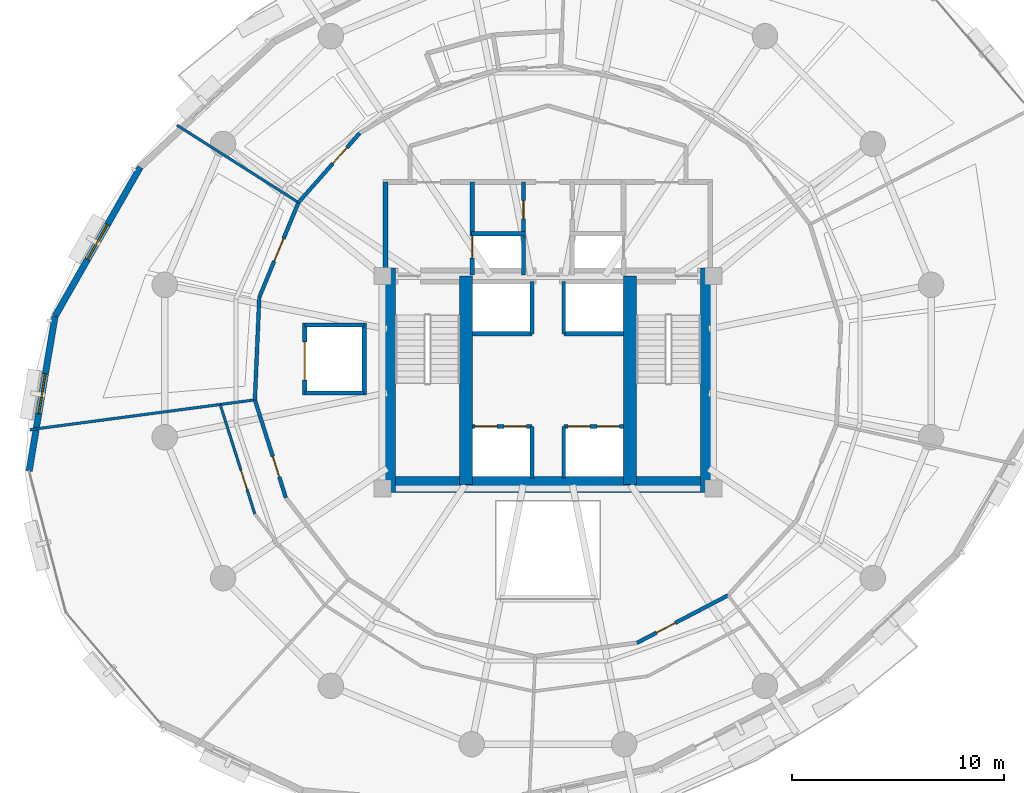
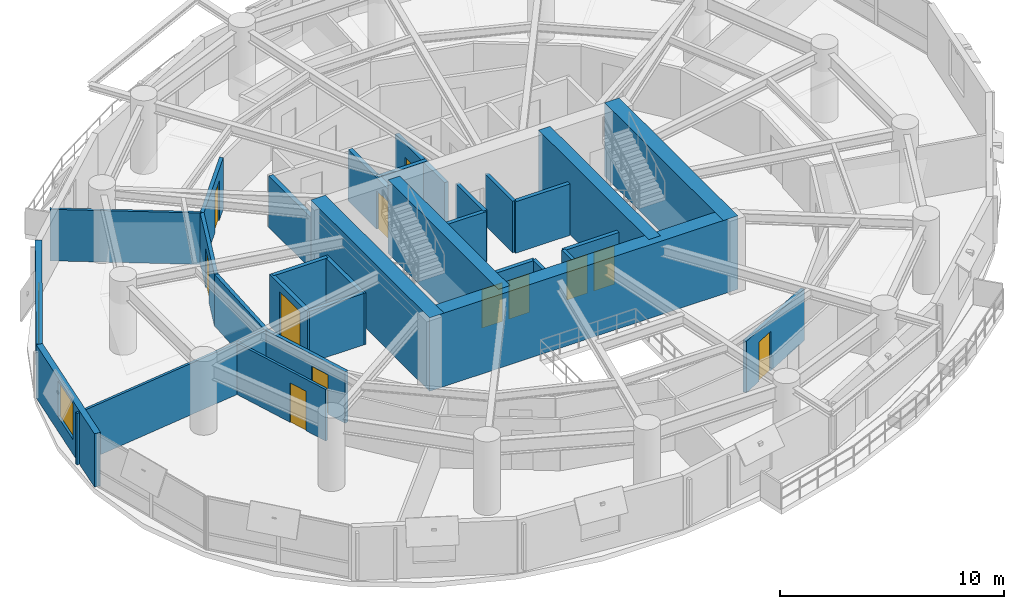
# One storey, part 10 of 14: 31 walls, 12 doors, 2 windows, 14 openings.
"""IFC4 building model written with IfcOpenShell, lengths in metres."""

from ifc_helpers import new_model, si_unit, direction, frame, frame_2d, origin, place, context, subcontext, project, spatial, rectangle, extrude, material, layer, layer_set, type_object, element, fill, save


model = new_model("IFC4")

# Units and contexts
model_context = context("Model", 3, precision=1e-05, world=origin(), true_north=direction((0.0, 1.0)))
body_context = subcontext(model_context, "Body", "Model", "MODEL_VIEW")
ifc_project = project(units=[si_unit("LENGTHUNIT", "METRE"), si_unit("AREAUNIT", "SQUARE_METRE"), si_unit("VOLUMEUNIT", "CUBIC_METRE"), si_unit("PLANEANGLEUNIT", "RADIAN"), si_unit("MASSUNIT", "GRAM", prefix="KILO"), si_unit("THERMODYNAMICTEMPERATUREUNIT", "KELVIN"), si_unit("POWERUNIT", "WATT")], contexts=[model_context])

# Site, building, storey
site_placement = place(None, origin())
site = spatial("IfcSite", under=ifc_project, at=site_placement, CompositionType="ELEMENT")
building_placement = place(site_placement, origin())
building = spatial("IfcBuilding", under=site, at=building_placement, Name="Ocrelia Relay Tower", CompositionType="ELEMENT")
storey_placement = place(building_placement, frame((0.0, 0.0, 149.800048828125)))
storey = spatial("IfcBuildingStorey", under=building, at=storey_placement, Name="L35", CompositionType="ELEMENT", Elevation=149.800048828125)

# Walls
ifc_material_1 = material(Name="Concrete C60/75", Category="concrete")
ifc_layer_1 = layer(ifc_material_1, 0.75, Name="Concrete C60/75")
ifc_layer_set_1 = layer_set([ifc_layer_1], Name="Concrete C60/75")
wall_type_1 = type_object("IfcWallType", Name="CW-CORE-750", PredefinedType="SHEAR", material=ifc_layer_set_1)
wall_1_placement = place(storey_placement, frame((26.072021484375, 20.18701171875, 0.0), z_axis=(0.0, 0.0, 1.0), x_axis=(1.0, 0.0, 0.0)))
element("IfcWall", 1, at=wall_1_placement, inside=storey, type_object=wall_type_1, Name="L35 Core Shear Wall S", PredefinedType="SHEAR", context=body_context, shape_type="SweptSolid", body=[
    extrude(rectangle(XDim=15.865966796875, YDim=0.75, at=frame_2d((7.93310546875, 0.0))), origin(), (0.0, 0.0, 1.0), 4.0),
])
for number, where, z_axis, x_axis, name in (
    (2, (26.447021484375, 19.81201171875, 0.0), (0.0, 0.0, 1.0), (0.0, 1.0, 0.0), "L35 Core Shear Wall W"),
    (3, (41.56298828125, 19.81201171875, 0.0), (0.0, 0.0, 1.0), (0.0, 1.0, 0.0), "L35 Core Shear Wall E"),
):
    element("IfcWall", number, at=place(storey_placement, frame(where, z_axis=z_axis, x_axis=x_axis)), inside=storey, type_object=wall_type_1, Name=name, PredefinedType="SHEAR", context=body_context, shape_type="SweptSolid", body=[
        extrude(rectangle(XDim=10.575927734375, YDim=0.75, at=frame_2d((5.2880859375, 0.0))), origin(), (0.0, 0.0, 1.0), 4.0),
    ])
for number, where, z_axis, x_axis, name in (
    (4, (30.137939453125, 20.18701171875, 0.0), (0.0, 0.0, 1.0), (0.0, 1.0, 0.0), "L35 Core Shear Wall SPW"),
    (5, (37.8720703125, 20.18701171875, 0.0), (0.0, 0.0, 1.0), (0.0, 1.0, 0.0), "L35 Core Shear Wall SPE"),
):
    element("IfcWall", number, at=place(storey_placement, frame(where, z_axis=z_axis, x_axis=x_axis)), inside=storey, type_object=wall_type_1, Name=name, PredefinedType="SHEAR", context=body_context, shape_type="SweptSolid", body=[
        extrude(rectangle(XDim=9.825927734375, YDim=0.60009765625, at=frame_2d((4.9130859375, 0.0))), origin(), (0.0, 0.0, 1.0), 4.0),
    ])

# Wall, opening, door
ifc_material_2 = material(Name="Gypsum Fireboard Partition EI60", Category="gypsum")
ifc_layer_2 = layer(ifc_material_2, 0.179931640625, Name="Gypsum Fireboard Partition EI60")
ifc_layer_set_2 = layer_set([ifc_layer_2], Name="Gypsum Fireboard Partition EI60")
wall_type_2 = type_object("IfcWallType", Name="W-CORR-EI60-180", PredefinedType="PARTITIONING", material=ifc_layer_set_2)
wall_2_placement = place(storey_placement, frame((25.136474609375, 36.7333984375, 0.0), z_axis=(0.0, 0.0, 1.0), x_axis=(-0.661970118679, -0.749530227526, 0.0)))
wall_2 = element("IfcWall", 6, at=wall_2_placement, inside=storey, type_object=wall_type_2, Name="L35 Network Engineering Office Corridor Partition 2", PredefinedType="PARTITIONING", context=body_context, shape_type="SweptSolid", body=[
    extrude(rectangle(XDim=4.355224609375, YDim=0.179931640625, at=frame_2d((2.177734375, 0.0))), origin(), (0.0, 0.0, 1.0), 2.800048828125),
])
opening_1_placement = place(wall_2_placement, frame((0.913818359375, 0.0, 0.0)))
opening_1 = element("IfcOpeningElement", 7, at=opening_1_placement, cuts=wall_2, Name="Opening D-RM100", PredefinedType="OPENING", context=body_context, shape_type="SweptSolid", body=[
    extrude(rectangle(XDim=1.0, YDim=2.14990234375, at=frame_2d((0.5, 1.074951171875))), frame((0.0, 0.10009765625, 0.0), z_axis=(0.0, -1.0, 0.0), x_axis=(1.0, 0.0, 0.0)), (0.0, 0.0, 1.0), 0.199951171875),
])
ifc_material_3 = material(Name="Acoustic oak veneer fire door", Category="wood")
door_type_1 = type_object("IfcDoorType", Name="DR-ROOM-FD60-1000", OperationType="NOTDEFINED", PredefinedType="DOOR", material=ifc_material_3)
door_1_placement = place(opening_1_placement, origin())
door_1 = element("IfcDoor", 8, at=door_1_placement, inside=storey, type_object=door_type_1, Name="L35 Network Engineering Office Entrance Door", OperationType="SINGLE_SWING_LEFT", OverallHeight=2.14990234375, OverallWidth=1.0, PredefinedType="DOOR", context=body_context, shape_type="SweptSolid", body=[
    extrude(rectangle(XDim=1.0, YDim=2.14990234375, at=frame_2d((0.5, 1.074951171875))), frame((0.0, 0.02490234375, 0.0), z_axis=(0.0, -1.0, 0.0), x_axis=(1.0, 0.0, 0.0)), (0.0, 0.0, 1.0), 0.050048828125),
])
fill(opening_1, door_1)

wall_3_placement = place(storey_placement, frame((22.25341796875, 33.468994140625, 0.0), z_axis=(0.0, 0.0, 1.0), x_axis=(-0.381884883338, -0.924209898171, 0.0)))
wall_3 = element("IfcWall", 9, at=wall_3_placement, inside=storey, type_object=wall_type_2, Name="L35 Optical Switching Hall A Corridor Partition 1", PredefinedType="PARTITIONING", context=body_context, shape_type="SweptSolid", body=[
    extrude(rectangle(XDim=4.83447265625, YDim=0.179931640625, at=frame_2d((2.417236328125, 0.0))), origin(), (0.0, 0.0, 1.0), 2.800048828125),
])
opening_2_placement = place(wall_3_placement, frame((1.84228515625, 0.0, 0.0)))
opening_2 = element("IfcOpeningElement", 10, at=opening_2_placement, cuts=wall_3, Name="Opening D-RM115", PredefinedType="OPENING", context=body_context, shape_type="SweptSolid", body=[
    extrude(rectangle(XDim=1.14990234375, YDim=2.14990234375, at=frame_2d((0.574951171875, 1.074951171875))), frame((0.0, 0.10009765625, 0.0), z_axis=(0.0, -1.0, 0.0), x_axis=(1.0, 0.0, 0.0)), (0.0, 0.0, 1.0), 0.199951171875),
])
ifc_material_4 = material(Name="Wide acoustic oak veneer fire door", Category="wood")
door_type_2 = type_object("IfcDoorType", Name="DR-ROOM-1150", OperationType="NOTDEFINED", PredefinedType="DOOR", material=ifc_material_4)
door_2_placement = place(opening_2_placement, origin())
door_2 = element("IfcDoor", 11, at=door_2_placement, inside=storey, type_object=door_type_2, Name="L35 Optical Switching Hall A Entrance Door", OperationType="SINGLE_SWING_RIGHT", OverallHeight=2.14990234375, OverallWidth=1.14990234375, PredefinedType="DOOR", context=body_context, shape_type="SweptSolid", body=[
    extrude(rectangle(XDim=1.14990234375, YDim=2.14990234375, at=frame_2d((0.574951171875, 1.074951171875))), frame((0.0, 0.02490234375, 0.0), z_axis=(0.0, -1.0, 0.0), x_axis=(1.0, 0.0, 0.0)), (0.0, 0.0, 1.0), 0.050048828125),
])
fill(opening_2, door_2)

# Wall
wall_4_placement = place(storey_placement, frame((20.4072265625, 29.0009765625, 0.0), z_axis=(0.0, 0.0, 1.0), x_axis=(-0.042722784695, -0.999086965018, 0.0)))
element("IfcWall", 12, at=wall_4_placement, inside=storey, type_object=wall_type_2, Name="L35 Optical Switching Hall A Corridor Partition 2", PredefinedType="PARTITIONING", context=body_context, shape_type="SweptSolid", body=[
    extrude(rectangle(XDim=4.83447265625, YDim=0.179931640625, at=frame_2d((2.417236328125, 0.0))), origin(), (0.0, 0.0, 1.0), 2.800048828125),
])

# Wall, opening, door
wall_5_placement = place(storey_placement, frame((20.20068359375, 24.1708984375, 0.0), z_axis=(0.0, 0.0, 1.0), x_axis=(0.301554318109, -0.953448998757, 0.0)))
wall_5 = element("IfcWall", 13, at=wall_5_placement, inside=storey, type_object=wall_type_2, Name="L35 Optical Calibration Studio Corridor Partition 1", PredefinedType="PARTITIONING", context=body_context, shape_type="SweptSolid", body=[
    extrude(rectangle(XDim=4.834228515625, YDim=0.179931640625, at=frame_2d((2.4169921875, 0.0))), origin(), (0.0, 0.0, 1.0), 2.800048828125),
])
opening_3_placement = place(wall_5_placement, frame((2.80078125, 0.0, 0.0)))
opening_3 = element("IfcOpeningElement", 14, at=opening_3_placement, cuts=wall_5, Name="Opening D-RM100", PredefinedType="OPENING", context=body_context, shape_type="SweptSolid", body=[
    extrude(rectangle(XDim=1.0, YDim=2.14990234375, at=frame_2d((0.5, 1.074951171875))), frame((0.0, 0.10009765625, 0.0), z_axis=(0.0, -1.0, 0.0), x_axis=(1.0, 0.0, 0.0)), (0.0, 0.0, 1.0), 0.199951171875),
])
door_3_placement = place(opening_3_placement, origin())
door_3 = element("IfcDoor", 15, at=door_3_placement, inside=storey, type_object=door_type_1, Name="L35 Optical Calibration Studio Entrance Door", OperationType="SINGLE_SWING_LEFT", OverallHeight=2.14990234375, OverallWidth=1.0, PredefinedType="DOOR", context=body_context, shape_type="SweptSolid", body=[
    extrude(rectangle(XDim=1.0, YDim=2.14990234375, at=frame_2d((0.5, 1.074951171875))), frame((0.0, 0.02490234375, 0.0), z_axis=(0.0, -1.0, 0.0), x_axis=(1.0, 0.0, 0.0)), (0.0, 0.0, 1.0), 0.050048828125),
])
fill(opening_3, door_3)

wall_6_placement = place(storey_placement, frame((38.197509765625, 12.727783203125, 0.0), z_axis=(0.0, 0.0, 1.0), x_axis=(0.886598352784, 0.462540118088, 0.0)))
wall_6 = element("IfcWall", 16, at=wall_6_placement, inside=storey, type_object=wall_type_2, Name="L35 Photonics Metrology Lab Corridor Partition 2", PredefinedType="PARTITIONING", context=body_context, shape_type="SweptSolid", body=[
    extrude(rectangle(XDim=4.83447265625, YDim=0.179931640625, at=frame_2d((2.417236328125, 0.0))), origin(), (0.0, 0.0, 1.0), 2.800048828125),
])
opening_4_placement = place(wall_6_placement, frame((1.03369140625, 0.0, 0.0)))
opening_4 = element("IfcOpeningElement", 17, at=opening_4_placement, cuts=wall_6, Name="Opening D-RM100", PredefinedType="OPENING", context=body_context, shape_type="SweptSolid", body=[
    extrude(rectangle(XDim=1.0, YDim=2.14990234375, at=frame_2d((0.5, 1.074951171875))), frame((0.0, 0.10009765625, 0.0), z_axis=(0.0, -1.0, 0.0), x_axis=(1.0, 0.0, 0.0)), (0.0, 0.0, 1.0), 0.199951171875),
])
door_4_placement = place(opening_4_placement, origin())
door_4 = element("IfcDoor", 18, at=door_4_placement, inside=storey, type_object=door_type_1, Name="L35 Photonics Metrology Lab Entrance Door", OperationType="SINGLE_SWING_LEFT", OverallHeight=2.14990234375, OverallWidth=1.0, PredefinedType="DOOR", context=body_context, shape_type="SweptSolid", body=[
    extrude(rectangle(XDim=1.0, YDim=2.14990234375, at=frame_2d((0.5, 1.074951171875))), frame((0.0, 0.02490234375, 0.0), z_axis=(0.0, -1.0, 0.0), x_axis=(1.0, 0.0, 0.0)), (0.0, 0.0, 1.0), 0.050048828125),
])
fill(opening_4, door_4)

# Wall, opening, window
ifc_material_5 = material(Name="Precast concrete C40/50 with oxide terracotta", Category="masonry")
ifc_layer_3 = layer(ifc_material_5, 0.300048828125, Name="Precast concrete C40/50 with oxide terracotta")
ifc_layer_set_3 = layer_set([ifc_layer_3], Name="Precast concrete C40/50 with oxide terracotta")
wall_type_3 = type_object("IfcWallType", Name="W-EXT-TERR-300", PredefinedType="SOLIDWALL", material=ifc_layer_set_3)
wall_7_placement = place(storey_placement, frame((14.800537109375, 35.129150390625, 0.0), z_axis=(0.0, 0.0, 1.0), x_axis=(-0.495931060513, -0.868361896457, 0.0)))
wall_7 = element("IfcWall", 19, at=wall_7_placement, inside=storey, type_object=wall_type_3, Name="L35 Oxide Terracotta Facade Wall 07", PredefinedType="SOLIDWALL", context=body_context, shape_type="SweptSolid", body=[
    extrude(rectangle(XDim=8.09521484375, YDim=0.300048828125, at=frame_2d((4.047607421875, 0.0))), origin(), (0.0, 0.0, 1.0), 2.89990234375),
])
opening_5_placement = place(wall_7_placement, frame((3.097900390625, 0.0, 0.800048828125)))
opening_5 = element("IfcOpeningElement", 20, at=opening_5_placement, cuts=wall_7, Name="Opening W-06", PredefinedType="OPENING", context=body_context, shape_type="SweptSolid", body=[
    extrude(rectangle(XDim=1.89990234375, YDim=1.949951171875, at=frame_2d((0.949951171875, 0.97509765625))), frame((0.0, 0.16015625, 0.0), z_axis=(0.0, -1.0, 0.0), x_axis=(1.0, 0.0, 0.0)), (0.0, 0.0, 1.0), 0.320068359375),
])
ifc_material_6 = material(Name="Clear double-glazed low-E glass", Category="glass")
window_type = type_object("IfcWindowType", Name="WIN-Z2-1900x2100", PartitioningType="DOUBLE_PANEL_VERTICAL", PredefinedType="WINDOW", material=ifc_material_6)
window_1_placement = place(opening_5_placement, origin())
window_1 = element("IfcWindow", 21, at=window_1_placement, inside=storey, type_object=window_type, Name="L35 Facade Module Window 07", OverallHeight=1.949951171875, OverallWidth=1.89990234375, PartitioningType="SINGLE_PANEL", PredefinedType="WINDOW", context=body_context, shape_type="SweptSolid", body=[
    extrude(rectangle(XDim=1.89990234375, YDim=1.949951171875, at=frame_2d((0.949951171875, 0.97509765625))), frame((0.0, 0.030029296875, 0.0), z_axis=(0.0, -1.0, 0.0), x_axis=(1.0, 0.0, 0.0)), (0.0, 0.0, 1.0), 0.06005859375),
])
fill(opening_5, window_1)

wall_8_placement = place(storey_placement, frame((10.785888671875, 28.099609375, 0.0), z_axis=(0.0, 0.0, 1.0), x_axis=(-0.16453840075, -0.986370678132, 0.0)))
wall_8 = element("IfcWall", 22, at=wall_8_placement, inside=storey, type_object=wall_type_3, Name="L35 Oxide Terracotta Facade Wall 08", PredefinedType="SOLIDWALL", context=body_context, shape_type="SweptSolid", body=[
    extrude(rectangle(XDim=7.38330078125, YDim=0.300048828125, at=frame_2d((3.691650390625, 0.0))), origin(), (0.0, 0.0, 1.0), 2.89990234375),
])
opening_6_placement = place(wall_8_placement, frame((2.741943359375, 0.0, 0.800048828125)))
opening_6 = element("IfcOpeningElement", 23, at=opening_6_placement, cuts=wall_8, Name="Opening W-06", PredefinedType="OPENING", context=body_context, shape_type="SweptSolid", body=[
    extrude(rectangle(XDim=1.89990234375, YDim=1.949951171875, at=frame_2d((0.949951171875, 0.97509765625))), frame((0.0, 0.16015625, 0.0), z_axis=(0.0, -1.0, 0.0), x_axis=(1.0, 0.0, 0.0)), (0.0, 0.0, 1.0), 0.320068359375),
])
window_2_placement = place(opening_6_placement, origin())
window_2 = element("IfcWindow", 24, at=window_2_placement, inside=storey, type_object=window_type, Name="L35 Facade Module Window 08", OverallHeight=1.949951171875, OverallWidth=1.89990234375, PartitioningType="SINGLE_PANEL", PredefinedType="WINDOW", context=body_context, shape_type="SweptSolid", body=[
    extrude(rectangle(XDim=1.89990234375, YDim=1.949951171875, at=frame_2d((0.949951171875, 0.97509765625))), frame((0.0, 0.030029296875, 0.0), z_axis=(0.0, -1.0, 0.0), x_axis=(1.0, 0.0, 0.0)), (0.0, 0.0, 1.0), 0.06005859375),
])
fill(opening_6, window_2)

# Wall
ifc_material_7 = material(Name="Concrete C50/60", Category="concrete")
ifc_layer_4 = layer(ifc_material_7, 0.219970703125, Name="Concrete C50/60")
ifc_layer_set_4 = layer_set([ifc_layer_4], Name="Concrete C50/60")
wall_type_4 = type_object("IfcWallType", Name="W-FFL-EI120-220", PredefinedType="SOLIDWALL", material=ifc_layer_set_4)
wall_9_placement = place(storey_placement, frame((26.35009765625, 30.050048828125, 0.0), z_axis=(0.0, 0.0, 1.0), x_axis=(0.0, 1.0, 0.0)))
element("IfcWall", 25, at=wall_9_placement, inside=storey, type_object=wall_type_4, Name="L35 W Fire Service Lift Lobby West Wall", PredefinedType="SOLIDWALL", context=body_context, shape_type="SweptSolid", body=[
    extrude(rectangle(XDim=4.3798828125, YDim=0.219970703125, at=frame_2d((2.18994140625, 0.0))), origin(), (0.0, 0.0, 1.0), 2.800048828125),
])

# Wall, opening, door
wall_10_placement = place(storey_placement, frame((30.43994140625, 30.050048828125, 0.0), z_axis=(0.0, 0.0, 1.0), x_axis=(0.0, 1.0, 0.0)))
wall_10 = element("IfcWall", 26, at=wall_10_placement, inside=storey, type_object=wall_type_4, Name="L35 W Fire Service Lift Lobby East Wall", PredefinedType="SOLIDWALL", context=body_context, shape_type="SweptSolid", body=[
    extrude(rectangle(XDim=4.3798828125, YDim=0.219970703125, at=frame_2d((2.18994140625, 0.0))), origin(), (0.0, 0.0, 1.0), 2.800048828125),
])
opening_7_placement = place(wall_10_placement, frame((0.800048828125, 0.0, 0.0)))
opening_7 = element("IfcOpeningElement", 27, at=opening_7_placement, cuts=wall_10, Name="Opening LD-FFL1", PredefinedType="OPENING", context=body_context, shape_type="SweptSolid", body=[
    extrude(rectangle(XDim=1.050048828125, YDim=2.10009765625, at=frame_2d((0.52490234375, 1.050048828125))), frame((0.0, 0.1201171875, 0.0), z_axis=(0.0, -1.0, 0.0), x_axis=(1.0, 0.0, 0.0)), (0.0, 0.0, 1.0), 0.239990234375),
])
ifc_material_8 = material(Name="Brushed stainless steel S355 lift landing door", Category="steel")
door_type_3 = type_object("IfcDoorType", Name="DR-LIFT-LAND-1050", OperationType="DOUBLE_DOOR_SLIDING", PredefinedType="USERDEFINED", material=ifc_material_8)
door_5_placement = place(opening_7_placement, origin())
door_5 = element("IfcDoor", 28, at=door_5_placement, inside=storey, type_object=door_type_3, Name="L35 Firefighting Lift FFL1 Sliding Landing Door", ObjectType="LANDING DOOR", OperationType="DOUBLE_DOOR_SLIDING", OverallHeight=2.10009765625, OverallWidth=1.050048828125, PredefinedType="USERDEFINED", context=body_context, shape_type="SweptSolid", body=[
    extrude(rectangle(XDim=1.050048828125, YDim=2.10009765625, at=frame_2d((0.52490234375, 1.050048828125))), frame((0.0, 0.02490234375, 0.0), z_axis=(0.0, -1.0, 0.0), x_axis=(1.0, 0.0, 0.0)), (0.0, 0.0, 1.0), 0.050048828125),
])
fill(opening_7, door_5)

# Walls
ifc_material_9 = material(Name="Acoustic Fireboard Partition EI60", Category="gypsum")
ifc_layer_5 = layer(ifc_material_9, 0.125, Name="Acoustic Fireboard Partition EI60")
ifc_layer_set_5 = layer_set([ifc_layer_5], Name="Acoustic Fireboard Partition EI60")
wall_type_5 = type_object("IfcWallType", Name="W-PART-125", PredefinedType="PARTITIONING", material=ifc_layer_set_5)
wall_11_placement = place(storey_placement, frame((22.25341796875, 33.468994140625, 0.0), z_axis=(0.0, 0.0, 1.0), x_axis=(-0.843860112371, 0.536563240215, 0.0)))
element("IfcWall", 29, at=wall_11_placement, inside=storey, type_object=wall_type_5, Name="L35 Network Engineering Office Radial Partition", PredefinedType="PARTITIONING", context=body_context, shape_type="SweptSolid", body=[
    extrude(rectangle(XDim=6.780029296875, YDim=0.125, at=frame_2d((3.39013671875, 0.0))), origin(), (0.0, 0.0, 1.0), 2.800048828125),
])
wall_12_placement = place(storey_placement, frame((20.20068359375, 24.1708984375, 0.0), z_axis=(0.0, 0.0, 1.0), x_axis=(-0.991330577482, -0.131391347314, 0.0)))
element("IfcWall", 30, at=wall_12_placement, inside=storey, type_object=wall_type_5, Name="L35 Optical Switching Hall A Radial Partition", PredefinedType="PARTITIONING", context=body_context, shape_type="SweptSolid", body=[
    extrude(rectangle(XDim=10.68408203125, YDim=0.125, at=frame_2d((5.342041015625, 0.0))), origin(), (0.0, 0.0, 1.0), 2.800048828125),
])

# Wall, opening, door
wall_13_placement = place(storey_placement, frame((18.56494140625, 23.9541015625, 0.0), z_axis=(0.0, 0.0, 1.0), x_axis=(0.301561349151, -0.953446774969, 0.0)))
wall_13 = element("IfcWall", 31, at=wall_13_placement, inside=storey, type_object=wall_type_5, Name="L35 Perimeter Optical Calibration Studio Mid-Ring Partition 1", PredefinedType="PARTITIONING", context=body_context, shape_type="SweptSolid", body=[
    extrude(rectangle(XDim=5.4072265625, YDim=0.125, at=frame_2d((2.70361328125, 0.0))), origin(), (0.0, 0.0, 1.0), 2.800048828125),
])
opening_8_placement = place(wall_13_placement, frame((3.2529296875, 0.0, 0.0)))
opening_8 = element("IfcOpeningElement", 32, at=opening_8_placement, cuts=wall_13, Name="Opening D-RM95", PredefinedType="OPENING", context=body_context, shape_type="SweptSolid", body=[
    extrude(rectangle(XDim=0.949951171875, YDim=2.14990234375, at=frame_2d((0.47509765625, 1.074951171875))), frame((0.0, 0.072509765625, 0.0), z_axis=(0.0, -1.0, 0.0), x_axis=(1.0, 0.0, 0.0)), (0.0, 0.0, 1.0), 0.14501953125),
])
door_type_4 = type_object("IfcDoorType", Name="DR-ROOM-950", OperationType="NOTDEFINED", PredefinedType="DOOR", material=ifc_material_3)
door_6_placement = place(opening_8_placement, origin())
door_6 = element("IfcDoor", 33, at=door_6_placement, inside=storey, type_object=door_type_4, Name="L35 Perimeter Optical Calibration Studio Connecting Door", OperationType="SINGLE_SWING_RIGHT", OverallHeight=2.14990234375, OverallWidth=0.949951171875, PredefinedType="DOOR", context=body_context, shape_type="SweptSolid", body=[
    extrude(rectangle(XDim=0.949951171875, YDim=2.14990234375, at=frame_2d((0.47509765625, 1.074951171875))), frame((0.0, 0.02490234375, 0.0), z_axis=(0.0, -1.0, 0.0), x_axis=(1.0, 0.0, 0.0)), (0.0, 0.0, 1.0), 0.050048828125),
])
fill(opening_8, door_6)

# Wall
ifc_layer_6 = layer(ifc_material_7, 0.199951171875, Name="Concrete C50/60")
ifc_layer_set_6 = layer_set([ifc_layer_6], Name="Concrete C50/60")
wall_type_6 = type_object("IfcWallType", Name="W-SHAFT-EI120-200", PredefinedType="SOLIDWALL", material=ifc_layer_set_6)
wall_14_placement = place(storey_placement, frame((30.39990234375, 32.0, 0.0), z_axis=(0.0, 0.0, 1.0), x_axis=(1.0, 0.0, 0.0)))
element("IfcWall", 34, at=wall_14_placement, inside=storey, type_object=wall_type_6, Name="L35 FFL1 Hoistway North Wall", PredefinedType="SOLIDWALL", context=body_context, shape_type="SweptSolid", body=[
    extrude(rectangle(XDim=2.550048828125, YDim=0.199951171875, at=frame_2d((1.27490234375, 0.0))), origin(), (0.0, 0.0, 1.0), 2.800048828125),
])

# Wall, opening, door
wall_15_placement = place(storey_placement, frame((32.85009765625, 30.050048828125, 0.0), z_axis=(0.0, 0.0, 1.0), x_axis=(0.0, 1.0, 0.0)))
wall_15 = element("IfcWall", 35, at=wall_15_placement, inside=storey, type_object=wall_type_6, Name="L35 FFL1 and Service Vestibule Wall", PredefinedType="SOLIDWALL", context=body_context, shape_type="SweptSolid", body=[
    extrude(rectangle(XDim=4.3798828125, YDim=0.199951171875, at=frame_2d((2.18994140625, 0.0))), origin(), (0.0, 0.0, 1.0), 2.800048828125),
])
opening_9_placement = place(wall_15_placement, frame((2.64990234375, 0.0, 0.0)))
opening_9 = element("IfcOpeningElement", 36, at=opening_9_placement, cuts=wall_15, Name="Opening D-RS86", PredefinedType="OPENING", context=body_context, shape_type="SweptSolid", body=[
    extrude(rectangle(XDim=0.860107421875, YDim=2.050048828125, at=frame_2d((0.43017578125, 1.02490234375))), frame((0.0, 0.10986328125, 0.0), z_axis=(0.0, -1.0, 0.0), x_axis=(1.0, 0.0, 0.0)), (0.0, 0.0, 1.0), 0.219970703125),
])
ifc_material_10 = material(Name="Steel S355 riser access fire door", Category="steel")
door_type_5 = type_object("IfcDoorType", Name="DR-RISER-TRAP-860", OperationType="NOTDEFINED", PredefinedType="TRAPDOOR", material=ifc_material_10)
door_7_placement = place(opening_9_placement, origin())
door_7 = element("IfcDoor", 37, at=door_7_placement, inside=storey, type_object=door_type_5, Name="L35 Core Support Room W Door", OperationType="SINGLE_SWING_LEFT", OverallHeight=2.050048828125, OverallWidth=0.860107421875, PredefinedType="TRAPDOOR", context=body_context, shape_type="SweptSolid", body=[
    extrude(rectangle(XDim=0.860107421875, YDim=2.050048828125, at=frame_2d((0.43017578125, 1.02490234375))), frame((0.0, 0.02490234375, 0.0), z_axis=(0.0, -1.0, 0.0), x_axis=(1.0, 0.0, 0.0)), (0.0, 0.0, 1.0), 0.050048828125),
])
fill(opening_9, door_7)

# Wall, openings, doors
wall_16_placement = place(storey_placement, frame((30.43994140625, 22.919921875, 0.0), z_axis=(0.0, 0.0, 1.0), x_axis=(1.0, 0.0, 0.0)))
wall_16 = element("IfcWall", 38, at=wall_16_placement, inside=storey, type_object=wall_type_6, Name="L35 Low-Rise Lift Hoistway Wall W", PredefinedType="SOLIDWALL", context=body_context, shape_type="SweptSolid", body=[
    extrude(rectangle(XDim=2.81005859375, YDim=0.199951171875, at=frame_2d((1.405029296875, 0.0))), origin(), (0.0, 0.0, 1.0), 2.800048828125),
])
opening_10_placement = place(wall_16_placement, frame((0.1201171875, 0.0, 0.0)))
opening_10 = element("IfcOpeningElement", 39, at=opening_10_placement, cuts=wall_16, Name="Opening LD-PL1", PredefinedType="OPENING", context=body_context, shape_type="SweptSolid", body=[
    extrude(rectangle(XDim=1.050048828125, YDim=2.10009765625, at=frame_2d((0.52490234375, 1.050048828125))), frame((0.0, 0.10986328125, 0.0), z_axis=(0.0, -1.0, 0.0), x_axis=(1.0, 0.0, 0.0)), (0.0, 0.0, 1.0), 0.219970703125),
])
opening_11_placement = place(wall_16_placement, frame((1.5, 0.0, 0.0)))
opening_11 = element("IfcOpeningElement", 40, at=opening_11_placement, cuts=wall_16, Name="Opening LD-PL2", PredefinedType="OPENING", context=body_context, shape_type="SweptSolid", body=[
    extrude(rectangle(XDim=1.050048828125, YDim=2.10009765625, at=frame_2d((0.52490234375, 1.050048828125))), frame((0.0, 0.10986328125, 0.0), z_axis=(0.0, -1.0, 0.0), x_axis=(1.0, 0.0, 0.0)), (0.0, 0.0, 1.0), 0.219970703125),
])
door_8_placement = place(opening_10_placement, origin())
door_8 = element("IfcDoor", 41, at=door_8_placement, inside=storey, type_object=door_type_3, Name="L35 Passenger Lift PL1 Sliding Landing Door", ObjectType="LANDING DOOR", OperationType="DOUBLE_DOOR_SLIDING", OverallHeight=2.10009765625, OverallWidth=1.050048828125, PredefinedType="USERDEFINED", context=body_context, shape_type="SweptSolid", body=[
    extrude(rectangle(XDim=1.050048828125, YDim=2.10009765625, at=frame_2d((0.52490234375, 1.050048828125))), frame((0.0, 0.02490234375, 0.0), z_axis=(0.0, -1.0, 0.0), x_axis=(1.0, 0.0, 0.0)), (0.0, 0.0, 1.0), 0.050048828125),
])
fill(opening_10, door_8)
door_9_placement = place(opening_11_placement, origin())
door_9 = element("IfcDoor", 42, at=door_9_placement, inside=storey, type_object=door_type_3, Name="L35 Passenger Lift PL2 Sliding Landing Door", ObjectType="LANDING DOOR", OperationType="DOUBLE_DOOR_SLIDING", OverallHeight=2.10009765625, OverallWidth=1.050048828125, PredefinedType="USERDEFINED", context=body_context, shape_type="SweptSolid", body=[
    extrude(rectangle(XDim=1.050048828125, YDim=2.10009765625, at=frame_2d((0.52490234375, 1.050048828125))), frame((0.0, 0.02490234375, 0.0), z_axis=(0.0, -1.0, 0.0), x_axis=(1.0, 0.0, 0.0)), (0.0, 0.0, 1.0), 0.050048828125),
])
fill(opening_11, door_9)

# Wall
wall_17_placement = place(storey_placement, frame((33.25, 20.5, 0.0), z_axis=(0.0, 0.0, 1.0), x_axis=(0.0, 1.0, 0.0)))
element("IfcWall", 43, at=wall_17_placement, inside=storey, type_object=wall_type_6, Name="L35 Low-Rise Lift Throat Wall W", PredefinedType="SOLIDWALL", context=body_context, shape_type="SweptSolid", body=[
    extrude(rectangle(XDim=2.419921875, YDim=0.179931640625, at=frame_2d((1.2099609375, 0.0))), origin(), (0.0, 0.0, 1.0), 2.800048828125),
])

# Wall, openings, doors
wall_18_placement = place(storey_placement, frame((34.75, 22.919921875, 0.0), z_axis=(0.0, 0.0, 1.0), x_axis=(1.0, 0.0, 0.0)))
wall_18 = element("IfcWall", 44, at=wall_18_placement, inside=storey, type_object=wall_type_6, Name="L35 Low-Rise Lift Hoistway Wall E", PredefinedType="SOLIDWALL", context=body_context, shape_type="SweptSolid", body=[
    extrude(rectangle(XDim=2.81005859375, YDim=0.199951171875, at=frame_2d((1.405029296875, 0.0))), origin(), (0.0, 0.0, 1.0), 2.800048828125),
])
opening_12_placement = place(wall_18_placement, frame((0.18994140625, 0.0, 0.0)))
opening_12 = element("IfcOpeningElement", 45, at=opening_12_placement, cuts=wall_18, Name="Opening LD-PL3", PredefinedType="OPENING", context=body_context, shape_type="SweptSolid", body=[
    extrude(rectangle(XDim=1.050048828125, YDim=2.10009765625, at=frame_2d((0.52490234375, 1.050048828125))), frame((0.0, 0.10986328125, 0.0), z_axis=(0.0, -1.0, 0.0), x_axis=(1.0, 0.0, 0.0)), (0.0, 0.0, 1.0), 0.219970703125),
])
opening_13_placement = place(wall_18_placement, frame((1.570068359375, 0.0, 0.0)))
opening_13 = element("IfcOpeningElement", 46, at=opening_13_placement, cuts=wall_18, Name="Opening LD-PL4", PredefinedType="OPENING", context=body_context, shape_type="SweptSolid", body=[
    extrude(rectangle(XDim=1.050048828125, YDim=2.10009765625, at=frame_2d((0.52490234375, 1.050048828125))), frame((0.0, 0.10986328125, 0.0), z_axis=(0.0, -1.0, 0.0), x_axis=(1.0, 0.0, 0.0)), (0.0, 0.0, 1.0), 0.219970703125),
])
door_10_placement = place(opening_12_placement, origin())
door_10 = element("IfcDoor", 47, at=door_10_placement, inside=storey, type_object=door_type_3, Name="L35 Passenger Lift PL3 Sliding Landing Door", ObjectType="LANDING DOOR", OperationType="DOUBLE_DOOR_SLIDING", OverallHeight=2.10009765625, OverallWidth=1.050048828125, PredefinedType="USERDEFINED", context=body_context, shape_type="SweptSolid", body=[
    extrude(rectangle(XDim=1.050048828125, YDim=2.10009765625, at=frame_2d((0.52490234375, 1.050048828125))), frame((0.0, 0.02490234375, 0.0), z_axis=(0.0, -1.0, 0.0), x_axis=(1.0, 0.0, 0.0)), (0.0, 0.0, 1.0), 0.050048828125),
])
fill(opening_12, door_10)
door_11_placement = place(opening_13_placement, origin())
door_11 = element("IfcDoor", 48, at=door_11_placement, inside=storey, type_object=door_type_3, Name="L35 Passenger Lift PL4 Sliding Landing Door", ObjectType="LANDING DOOR", OperationType="DOUBLE_DOOR_SLIDING", OverallHeight=2.10009765625, OverallWidth=1.050048828125, PredefinedType="USERDEFINED", context=body_context, shape_type="SweptSolid", body=[
    extrude(rectangle(XDim=1.050048828125, YDim=2.10009765625, at=frame_2d((0.52490234375, 1.050048828125))), frame((0.0, 0.02490234375, 0.0), z_axis=(0.0, -1.0, 0.0), x_axis=(1.0, 0.0, 0.0)), (0.0, 0.0, 1.0), 0.050048828125),
])
fill(opening_13, door_11)

# Walls
wall_19_placement = place(storey_placement, frame((34.75, 20.5, 0.0), z_axis=(0.0, 0.0, 1.0), x_axis=(0.0, 1.0, 0.0)))
element("IfcWall", 49, at=wall_19_placement, inside=storey, type_object=wall_type_6, Name="L35 Low-Rise Lift Throat Wall E", PredefinedType="SOLIDWALL", context=body_context, shape_type="SweptSolid", body=[
    extrude(rectangle(XDim=2.419921875, YDim=0.179931640625, at=frame_2d((1.2099609375, 0.0))), origin(), (0.0, 0.0, 1.0), 2.800048828125),
])
wall_20_placement = place(storey_placement, frame((30.43994140625, 27.280029296875, 0.0), z_axis=(0.0, 0.0, 1.0), x_axis=(1.0, 0.0, 0.0)))
element("IfcWall", 50, at=wall_20_placement, inside=storey, type_object=wall_type_6, Name="L35 High-Rise Lift Hoistway Wall W", PredefinedType="SOLIDWALL", context=body_context, shape_type="SweptSolid", body=[
    extrude(rectangle(XDim=2.81005859375, YDim=0.199951171875, at=frame_2d((1.405029296875, 0.0))), origin(), (0.0, 0.0, 1.0), 2.800048828125),
])
wall_21_placement = place(storey_placement, frame((33.25, 27.280029296875, 0.0), z_axis=(0.0, 0.0, 1.0), x_axis=(0.0, 1.0, 0.0)))
element("IfcWall", 51, at=wall_21_placement, inside=storey, type_object=wall_type_6, Name="L35 High-Rise Lift Throat Wall W", PredefinedType="SOLIDWALL", context=body_context, shape_type="SweptSolid", body=[
    extrude(rectangle(XDim=2.469970703125, YDim=0.179931640625, at=frame_2d((1.23486328125, 0.0))), origin(), (0.0, 0.0, 1.0), 2.800048828125),
])
wall_22_placement = place(storey_placement, frame((34.75, 27.280029296875, 0.0), z_axis=(0.0, 0.0, 1.0), x_axis=(1.0, 0.0, 0.0)))
element("IfcWall", 52, at=wall_22_placement, inside=storey, type_object=wall_type_6, Name="L35 High-Rise Lift Hoistway Wall E", PredefinedType="SOLIDWALL", context=body_context, shape_type="SweptSolid", body=[
    extrude(rectangle(XDim=2.81005859375, YDim=0.199951171875, at=frame_2d((1.405029296875, 0.0))), origin(), (0.0, 0.0, 1.0), 2.800048828125),
])
wall_23_placement = place(storey_placement, frame((34.75, 27.280029296875, 0.0), z_axis=(0.0, 0.0, 1.0), x_axis=(0.0, 1.0, 0.0)))
element("IfcWall", 53, at=wall_23_placement, inside=storey, type_object=wall_type_6, Name="L35 High-Rise Lift Throat Wall E", PredefinedType="SOLIDWALL", context=body_context, shape_type="SweptSolid", body=[
    extrude(rectangle(XDim=2.469970703125, YDim=0.179931640625, at=frame_2d((1.23486328125, 0.0))), origin(), (0.0, 0.0, 1.0), 2.800048828125),
])

# Wall, opening, door
wall_24_placement = place(storey_placement, frame((22.550048828125, 24.39990234375, 0.0), z_axis=(0.0, 0.0, 1.0), x_axis=(0.0, 1.0, 0.0)))
wall_24 = element("IfcWall", 54, at=wall_24_placement, inside=storey, type_object=wall_type_6, Name="L35 Goods Lift Shaft West Wall", PredefinedType="SOLIDWALL", context=body_context, shape_type="SweptSolid", body=[
    extrude(rectangle(XDim=3.400146484375, YDim=0.199951171875, at=frame_2d((1.7001953125, 0.0))), origin(), (0.0, 0.0, 1.0), 2.800048828125),
])
opening_14_placement = place(wall_24_placement, frame((0.699951171875, 0.0, 0.0)))
opening_14 = element("IfcOpeningElement", 55, at=opening_14_placement, cuts=wall_24, Name="Opening LD-GL1", PredefinedType="OPENING", context=body_context, shape_type="SweptSolid", body=[
    extrude(rectangle(XDim=1.800048828125, YDim=2.39990234375, at=frame_2d((0.89990234375, 1.199951171875))), frame((0.0, 0.10986328125, 0.0), z_axis=(0.0, -1.0, 0.0), x_axis=(1.0, 0.0, 0.0)), (0.0, 0.0, 1.0), 0.219970703125),
])
ifc_material_11 = material(Name="Heavy-duty stainless steel S355 goods landing door", Category="steel")
door_type_6 = type_object("IfcDoorType", Name="DR-GOODS-LAND-1800", OperationType="DOUBLE_DOOR_SLIDING", PredefinedType="USERDEFINED", material=ifc_material_11)
door_12_placement = place(opening_14_placement, origin())
door_12 = element("IfcDoor", 56, at=door_12_placement, inside=storey, type_object=door_type_6, Name="L35 Goods Lift GL1 Sliding Landing Door", ObjectType="LANDING DOOR", OperationType="DOUBLE_DOOR_SLIDING", OverallHeight=2.39990234375, OverallWidth=1.800048828125, PredefinedType="USERDEFINED", context=body_context, shape_type="SweptSolid", body=[
    extrude(rectangle(XDim=1.800048828125, YDim=2.39990234375, at=frame_2d((0.89990234375, 1.199951171875))), frame((0.0, 0.02490234375, 0.0), z_axis=(0.0, -1.0, 0.0), x_axis=(1.0, 0.0, 0.0)), (0.0, 0.0, 1.0), 0.050048828125),
])
fill(opening_14, door_12)

# Walls
wall_25_placement = place(storey_placement, frame((25.35009765625, 24.39990234375, 0.0), z_axis=(0.0, 0.0, 1.0), x_axis=(0.0, 1.0, 0.0)))
element("IfcWall", 57, at=wall_25_placement, inside=storey, type_object=wall_type_6, Name="L35 Goods Lift Shaft E Wall", PredefinedType="SOLIDWALL", context=body_context, shape_type="SweptSolid", body=[
    extrude(rectangle(XDim=3.400146484375, YDim=0.199951171875, at=frame_2d((1.7001953125, 0.0))), origin(), (0.0, 0.0, 1.0), 2.800048828125),
])
for number, where, z_axis, x_axis, name in (
    (58, (22.550048828125, 24.5, 0.0), (0.0, 0.0, 1.0), (1.0, 0.0, 0.0), "L35 Goods Lift Shaft S Wall"),
    (59, (22.550048828125, 27.699951171875, 0.0), (0.0, 0.0, 1.0), (1.0, 0.0, 0.0), "L35 Goods Lift Shaft N Wall"),
):
    element("IfcWall", number, at=place(storey_placement, frame(where, z_axis=z_axis, x_axis=x_axis)), inside=storey, type_object=wall_type_6, Name=name, PredefinedType="SOLIDWALL", context=body_context, shape_type="SweptSolid", body=[
        extrude(rectangle(XDim=2.800048828125, YDim=0.199951171875, at=frame_2d((1.39990234375, 0.0))), origin(), (0.0, 0.0, 1.0), 2.800048828125),
    ])

save(model, "model.ifc")
